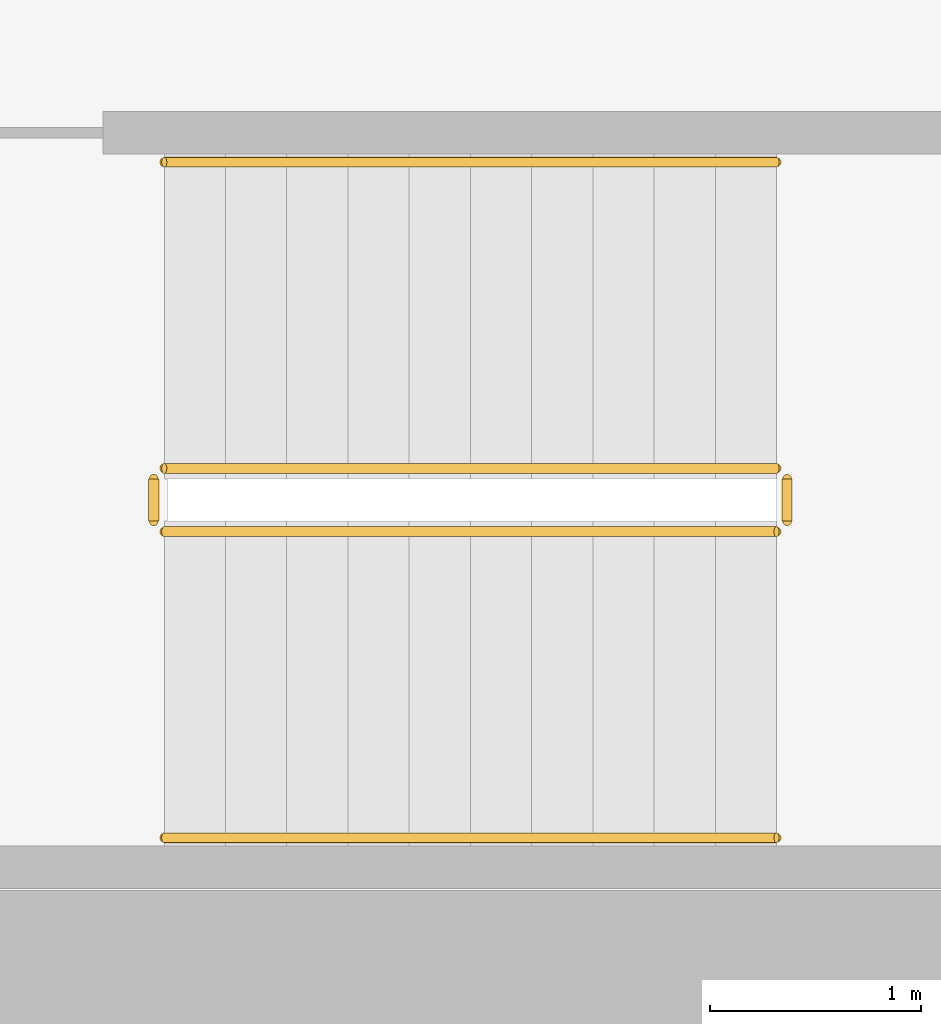
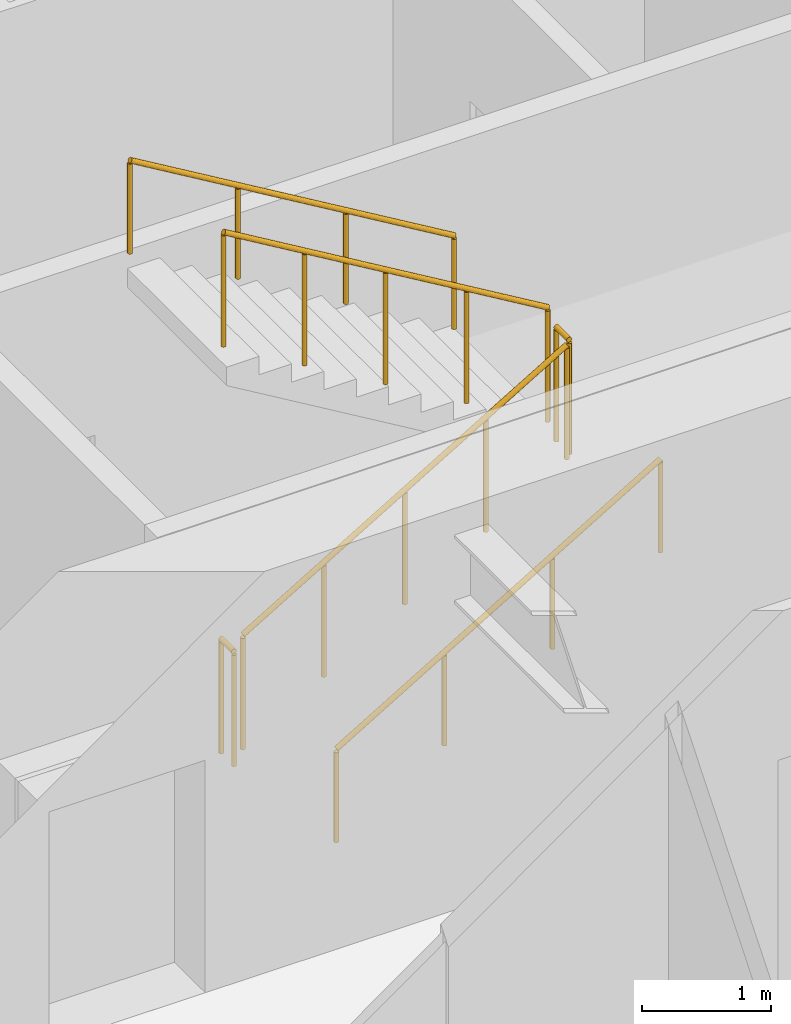
# One storey, part 19 of 20: 6 railings.
"""IFC4 building model written with IfcOpenShell, lengths in metres."""

import ifcopenshell
import ifcopenshell.guid

model = None  # the IFC model being written
_history = None  # IfcOwnerHistory: only IFC2X3 demands one
_inside = {}  # id of a spatial element -> (the spatial element, [elements in it])
_under = {}  # id of a project, library or spatial element -> (it, [spatial elements below it])
_declared = {}  # id of a project -> (the project, [libraries it declares])
_typed = {}  # id of a type object -> (the type object, [elements of that type])
_made_of = {}  # id of a material, layer set ... -> (it, [elements and type objects made of it])


def new_model(schema):
    """Start an empty IFC model of exactly this schema.

    Asked for "IFC4X3", IfcOpenShell would pick the latest addendum, in which some entities
    have other attributes; the version numbers below select the first issue.
    IFC2X3 requires an IfcOwnerHistory on every rooted entity: one is made here for all.
    """
    global model, _history
    if schema == "IFC4X3":
        model = ifcopenshell.file(schema_version=(4, 3, 0, 0))
    else:
        model = ifcopenshell.file(schema=schema)
    _inside.clear()
    _under.clear()
    _declared.clear()
    _typed.clear()
    _made_of.clear()
    _history = None
    if model.schema == "IFC2X3":
        org = make("IfcOrganization", Name="unknown")
        user = make(
            "IfcPersonAndOrganization",
            ThePerson=make("IfcPerson", FamilyName="unknown"),
            TheOrganization=org,
        )
        app = make(
            "IfcApplication",
            ApplicationDeveloper=org,
            Version="unknown",
            ApplicationFullName="unknown",
            ApplicationIdentifier="unknown",
        )
        _history = make(
            "IfcOwnerHistory",
            OwningUser=user,
            OwningApplication=app,
            ChangeAction="ADDED",
            CreationDate=0,
        )
    return model


def make(cls, **values):
    """One entity of the class cls with the attributes given. An attribute that is None is left unset."""
    return model.create_entity(
        cls, **{name: value for name, value in values.items() if value is not None}
    )


def rooted(cls, **values):
    """An entity with a GlobalId (a new one), such as an element, a storey or a relation."""
    return make(cls, GlobalId=ifcopenshell.guid.new(), OwnerHistory=_history, **values)


def si_unit(unit_type, name, prefix=None):
    """IfcSIUnit, for example si_unit("LENGTHUNIT", "METRE", prefix="MILLI")."""
    return make("IfcSIUnit", UnitType=unit_type, Prefix=prefix, Name=name)


def assignment(units):
    """IfcUnitAssignment: the units of a project."""
    return None if units is None else make("IfcUnitAssignment", Units=units)


def point(xyz):
    """IfcCartesianPoint."""
    return None if xyz is None else make("IfcCartesianPoint", Coordinates=xyz)


def direction(xyz):
    """IfcDirection."""
    return None if xyz is None else make("IfcDirection", DirectionRatios=xyz)


def frame(location, z_axis=None, x_axis=None):
    """IfcAxis2Placement3D, a coordinate frame: its origin and axes. An axis left out is left unset."""
    return make(
        "IfcAxis2Placement3D",
        Location=point(location),
        Axis=direction(z_axis),
        RefDirection=direction(x_axis),
    )


def frame_2d(location, x_axis=None):
    """IfcAxis2Placement2D, a coordinate frame in the plane: its origin and x axis."""
    return make(
        "IfcAxis2Placement2D", Location=point(location), RefDirection=direction(x_axis)
    )


def origin():
    """The frame at (0, 0, 0) with its axes left unset."""
    return frame((0.0, 0.0, 0.0))


def origin_2d():
    """The frame at (0, 0) in the plane with its x axis left unset."""
    return frame_2d((0.0, 0.0))


def place(relative_to, where):
    """IfcLocalPlacement: puts the frame where relative to a parent placement (None: the world)."""
    return make(
        "IfcLocalPlacement", PlacementRelTo=relative_to, RelativePlacement=where
    )


def context(
    kind, dimensions, precision=None, world=None, true_north=None, identifier=None
):
    """IfcGeometricRepresentationContext, for example the 3D "Model" context."""
    return make(
        "IfcGeometricRepresentationContext",
        ContextIdentifier=identifier,
        ContextType=kind,
        CoordinateSpaceDimension=dimensions,
        Precision=precision,
        WorldCoordinateSystem=world,
        TrueNorth=true_north,
    )


def subcontext(parent, identifier, kind, view, scale=None):
    """IfcGeometricRepresentationSubContext, for example "Body" below "Model"."""
    return make(
        "IfcGeometricRepresentationSubContext",
        ContextIdentifier=identifier,
        ContextType=kind,
        ParentContext=parent,
        TargetScale=scale,
        TargetView=view,
    )


def project(units=None, contexts=None):
    """IfcProject with its units and contexts."""
    return rooted(
        "IfcProject",
        Name="project",
        RepresentationContexts=contexts,
        UnitsInContext=assignment(units),
    )


def spatial(cls, under=None, at=None, **own):
    """A site, building, storey or space (cls), placed at a placement, below another one or the project."""
    s = rooted(cls, ObjectPlacement=at, **own)
    if under is not None:
        _under.setdefault(under.id(), (under, []))[1].append(s)
    return s


def profile(cls, at=None, kind="AREA", **sizes):
    """A parametric profile (cls). Its sizes go by their IFC names, for example OverallWidth=200.0."""
    return make(cls, ProfileType=kind, Position=at, **sizes)


def circle(**sizes):
    """IfcCircleProfileDef."""
    return profile("IfcCircleProfileDef", **sizes)


def extrude(swept, where, along, depth):
    """IfcExtrudedAreaSolid: the profile swept, set in the frame where, extruded along a direction by depth."""
    return make(
        "IfcExtrudedAreaSolid",
        SweptArea=swept,
        Position=where,
        ExtrudedDirection=direction(along),
        Depth=depth,
    )


def shape(context_of_items, identifier, shape_type, items):
    """IfcShapeRepresentation: the items that make up one representation, for example the "Body"."""
    return make(
        "IfcShapeRepresentation",
        ContextOfItems=context_of_items,
        RepresentationIdentifier=identifier,
        RepresentationType=shape_type,
        Items=items,
    )


def material(Name=None, Category=None):
    """IfcMaterial."""
    return make("IfcMaterial", Name=Name, Category=Category)


def made_of(thing, what):
    """Note that an element or type object is made of a material, layer set ...; save() writes the relation."""
    if what is not None:
        _made_of.setdefault(what.id(), (what, []))[1].append(thing)
    return thing


def type_object(cls, material=None, **own):
    """A type object (cls), such as IfcWallType, which elements share."""
    return made_of(rooted(cls, **own), material)


def element(
    cls,
    number,
    at=None,
    inside=None,
    cuts=None,
    type_object=None,
    material=None,
    context=None,
    identifier="Body",
    shape_type=None,
    held_by="IfcProductDefinitionShape",
    body=None,
    shapes=None,
    **own,
):
    """One element of the class cls, such as IfcWall. Its Tag is "e" and its number.

    at: its placement. inside: the storey or other place that contains it. cuts: it is an
    opening in that element (IfcRelVoidsElement). A single representation is given by context,
    identifier, shape_type and body (its items); several are given by shapes. held_by: the class
    of the entity that holds the representations. save() writes the other relations.
    """
    e = rooted(cls, Tag="e%d" % number, ObjectPlacement=at, **own)
    if body is not None:
        shapes = [shape(context, identifier, shape_type, body)]
    if shapes is not None:
        e.Representation = make(held_by, Representations=shapes)
    if inside is not None:
        _inside.setdefault(inside.id(), (inside, []))[1].append(e)
    if cuts is not None:
        rooted(
            "IfcRelVoidsElement", RelatingBuildingElement=cuts, RelatedOpeningElement=e
        )
    if type_object is not None:
        _typed.setdefault(type_object.id(), (type_object, []))[1].append(e)
    return made_of(e, material)


def aggregate(whole, parts):
    """IfcRelAggregates: a whole, such as a stair, and the parts it consists of."""
    return rooted("IfcRelAggregates", RelatingObject=whole, RelatedObjects=parts)


def save(model, path):
    """Write the relations noted so far, then the file.

    IfcRelAggregates (storeys below a building ...), IfcRelContainedInSpatialStructure (elements
    in a storey), IfcRelDefinesByType, IfcRelAssociatesMaterial and IfcRelDeclares: one each for
    every whole, place, type object, material and project.
    """
    for whole, parts in _under.values():
        aggregate(whole, parts)
    for where, things in _inside.values():
        rooted(
            "IfcRelContainedInSpatialStructure",
            RelatedElements=things,
            RelatingStructure=where,
        )
    for kind, things in _typed.values():
        rooted("IfcRelDefinesByType", RelatedObjects=things, RelatingType=kind)
    for what, things in _made_of.values():
        rooted("IfcRelAssociatesMaterial", RelatedObjects=things, RelatingMaterial=what)
    for by, libraries in _declared.values():
        rooted("IfcRelDeclares", RelatingContext=by, RelatedDefinitions=libraries)
    model.write(path)


model = new_model("IFC4")

# Units and contexts
model_context = context("Model", 3, precision=1e-05, world=origin(), true_north=direction((0.0, 1.0)))
body_context = subcontext(model_context, "Body", "Model", "MODEL_VIEW")
ifc_project = project(units=[si_unit("LENGTHUNIT", "METRE"), si_unit("AREAUNIT", "SQUARE_METRE"), si_unit("VOLUMEUNIT", "CUBIC_METRE"), si_unit("PLANEANGLEUNIT", "RADIAN"), si_unit("MASSUNIT", "GRAM", prefix="KILO")], contexts=[model_context])

# Site, building, storey
site_placement = place(None, origin())
site = spatial("IfcSite", under=ifc_project, at=site_placement, CompositionType="ELEMENT")
building_placement = place(site_placement, origin())
building = spatial("IfcBuilding", under=site, at=building_placement, Name="Putna Gate Headquarters", CompositionType="ELEMENT")
storey_placement = place(building_placement, frame((0.0, 0.0, 65.800048828125)))
storey = spatial("IfcBuildingStorey", under=building, at=storey_placement, Name="L15", CompositionType="ELEMENT", Elevation=65.800048828125)

# Railings
ifc_material_1 = material(Name="Powder-coated steel stair guardrail", Category="steel")
railing_type_1 = type_object("IfcRailingType", Name="RAIL-STAIR-GUARD-1100", PredefinedType="GUARDRAIL", material=ifc_material_1)
railing_1_placement = place(storey_placement, frame((57.89990234375, 21.10009765625, 0.172607421875)))
element("IfcRailing", 1, at=railing_1_placement, inside=storey, type_object=railing_type_1, Name="L15 ST2 stair guard 1", PredefinedType="GUARDRAIL", context=body_context, shape_type="SweptSolid", body=[
    extrude(circle(Radius=0.02392578125, at=origin_2d()), frame((0.0, 0.0, 1.076171875), z_axis=(0.859160404282, 0.0, 0.51170636083), x_axis=(0.0, 1.0, 0.0)), (0.0, 0.0, 1.0), 3.37548828125),
    extrude(circle(Radius=0.02099609375, at=origin_2d()), origin(), (0.0, 0.0, 1.0), 1.052001953125),
    extrude(circle(Radius=0.02099609375, at=origin_2d()), frame((0.72509765625, 0.0, 0.431884765625)), (0.0, 0.0, 1.0), 1.052001953125),
    extrude(circle(Radius=0.02099609375, at=origin_2d()), frame((1.4501953125, 0.0, 0.86376953125)), (0.0, 0.0, 1.0), 1.052001953125),
    extrude(circle(Radius=0.02099609375, at=origin_2d()), frame((2.175048828125, 0.0, 1.29541015625)), (0.0, 0.0, 1.0), 1.052001953125),
    extrude(circle(Radius=0.02099609375, at=origin_2d()), frame((2.900146484375, 0.0, 1.727294921875)), (0.0, 0.0, 1.0), 1.052001953125),
])
railing_2_placement = place(storey_placement, frame((60.85009765625, 21.14990234375, 1.89990234375)))
element("IfcRailing", 2, at=railing_2_placement, inside=storey, type_object=railing_type_1, Name="L15 ST2 stair guard 2", PredefinedType="GUARDRAIL", context=body_context, shape_type="SweptSolid", body=[
    extrude(circle(Radius=0.02392578125, at=origin_2d()), frame((0.0, 0.0, 1.076171875), z_axis=(0.0, 1.0, 0.0), x_axis=(-1.0, 0.0, 0.0)), (0.0, 0.0, 1.0), 0.2001953125),
    extrude(circle(Radius=0.02099609375, at=origin_2d()), origin(), (0.0, 0.0, 1.0), 1.052001953125),
    extrude(circle(Radius=0.02099609375, at=origin_2d()), frame((0.0, 0.2001953125, 0.0)), (0.0, 0.0, 1.0), 1.052001953125),
])
railing_3_placement = place(storey_placement, frame((60.800048828125, 21.39990234375, 2.07275390625)))
element("IfcRailing", 3, at=railing_3_placement, inside=storey, type_object=railing_type_1, Name="L15 ST2 stair guard 3", PredefinedType="GUARDRAIL", context=body_context, shape_type="SweptSolid", body=[
    extrude(circle(Radius=0.02392578125, at=origin_2d()), frame((0.0, 0.0, 1.076171875), z_axis=(-0.859160404282, 0.0, 0.51170636083), x_axis=(0.0, -1.0, 0.0)), (0.0, 0.0, 1.0), 3.37548828125),
    extrude(circle(Radius=0.02099609375, at=origin_2d()), origin(), (0.0, 0.0, 1.0), 1.052001953125),
    extrude(circle(Radius=0.02099609375, at=origin_2d()), frame((-0.72509765625, 0.0, 0.431884765625)), (0.0, 0.0, 1.0), 1.052001953125),
    extrude(circle(Radius=0.02099609375, at=origin_2d()), frame((-1.4501953125, 0.0, 0.86376953125)), (0.0, 0.0, 1.0), 1.052001953125),
    extrude(circle(Radius=0.02099609375, at=origin_2d()), frame((-2.175048828125, 0.0, 1.29541015625)), (0.0, 0.0, 1.0), 1.052001953125),
    extrude(circle(Radius=0.02099609375, at=origin_2d()), frame((-2.900146484375, 0.0, 1.727294921875)), (0.0, 0.0, 1.0), 1.052001953125),
])
railing_4_placement = place(storey_placement, frame((57.85009765625, 21.14990234375, 0.0)))
element("IfcRailing", 4, at=railing_4_placement, inside=storey, type_object=railing_type_1, Name="L15 ST2 stair guard 4", PredefinedType="GUARDRAIL", context=body_context, shape_type="SweptSolid", body=[
    extrude(circle(Radius=0.02392578125, at=origin_2d()), frame((0.0, 0.0, 1.076171875), z_axis=(0.0, 1.0, 0.0), x_axis=(-1.0, 0.0, 0.0)), (0.0, 0.0, 1.0), 0.2001953125),
    extrude(circle(Radius=0.02099609375, at=origin_2d()), origin(), (0.0, 0.0, 1.0), 1.052001953125),
    extrude(circle(Radius=0.02099609375, at=origin_2d()), frame((0.0, 0.2001953125, 0.0)), (0.0, 0.0, 1.0), 1.052001953125),
])
ifc_material_2 = material(Name="Brushed stainless steel handrail", Category="steel")
railing_type_2 = type_object("IfcRailingType", Name="RAIL-STAIR-HAND-900", PredefinedType="HANDRAIL", material=ifc_material_2)
railing_5_placement = place(storey_placement, frame((57.89990234375, 19.64990234375, 0.172607421875)))
element("IfcRailing", 5, at=railing_5_placement, inside=storey, type_object=railing_type_2, Name="L15 ST2 stair handrail 1", PredefinedType="HANDRAIL", context=body_context, shape_type="SweptSolid", body=[
    extrude(circle(Radius=0.02392578125, at=origin_2d()), frame((0.0, 0.0, 0.8759765625), z_axis=(0.859160404282, 0.0, 0.51170636083), x_axis=(0.0, 1.0, 0.0)), (0.0, 0.0, 1.0), 3.37548828125),
    extrude(circle(Radius=0.02099609375, at=origin_2d()), origin(), (0.0, 0.0, 1.0), 0.851806640625),
    extrude(circle(Radius=0.02099609375, at=origin_2d()), frame((0.966796875, 0.0, 0.57568359375)), (0.0, 0.0, 1.0), 0.851806640625),
    extrude(circle(Radius=0.02099609375, at=origin_2d()), frame((1.933349609375, 0.0, 1.151611328125)), (0.0, 0.0, 1.0), 0.851806640625),
    extrude(circle(Radius=0.02099609375, at=origin_2d()), frame((2.900146484375, 0.0, 1.727294921875)), (0.0, 0.0, 1.0), 0.851806640625),
])
railing_6_placement = place(storey_placement, frame((60.800048828125, 22.85009765625, 2.07275390625)))
element("IfcRailing", 6, at=railing_6_placement, inside=storey, type_object=railing_type_2, Name="L15 ST2 stair handrail 2", PredefinedType="HANDRAIL", context=body_context, shape_type="SweptSolid", body=[
    extrude(circle(Radius=0.02392578125, at=origin_2d()), frame((0.0, 0.0, 0.8759765625), z_axis=(-0.859160404282, 0.0, 0.51170636083), x_axis=(0.0, -1.0, 0.0)), (0.0, 0.0, 1.0), 3.37548828125),
    extrude(circle(Radius=0.02099609375, at=origin_2d()), origin(), (0.0, 0.0, 1.0), 0.851806640625),
    extrude(circle(Radius=0.02099609375, at=origin_2d()), frame((-0.966796875, 0.0, 0.57568359375)), (0.0, 0.0, 1.0), 0.851806640625),
    extrude(circle(Radius=0.02099609375, at=origin_2d()), frame((-1.933349609375, 0.0, 1.151611328125)), (0.0, 0.0, 1.0), 0.851806640625),
    extrude(circle(Radius=0.02099609375, at=origin_2d()), frame((-2.900146484375, 0.0, 1.727294921875)), (0.0, 0.0, 1.0), 0.851806640625),
])

save(model, "model.ifc")
